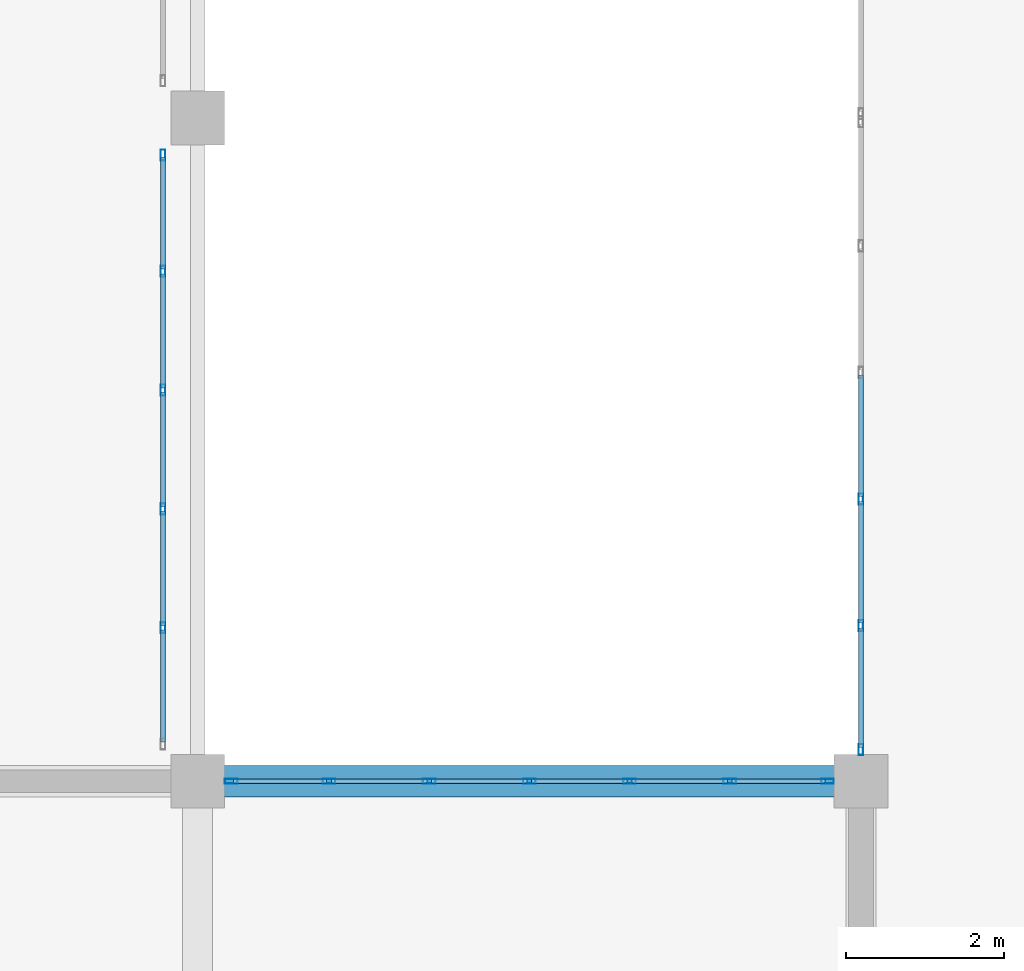
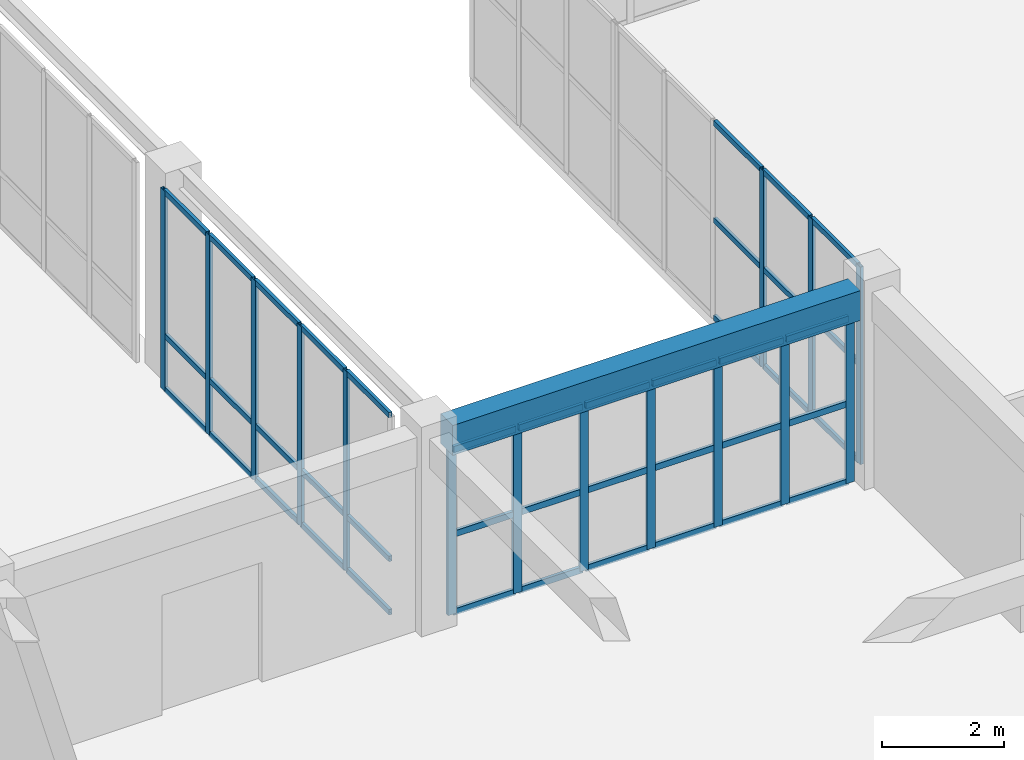
# One storey, part 60 of 140: 57 members, 1 beam, 3 elements without a shape of their own.
"""IFC4 building model written with IfcOpenShell, lengths in metres."""

from ifc_helpers import new_model, si_unit, direction, frame, origin, origin_2d, place, context, subcontext, project, spatial, rectangle, hollow_rectangle, extrude, material, layer, layer_set, material_profile, profile_set, type_object, element, aggregate, save


model = new_model("IFC4")

# Units and contexts
model_context = context("Model", 3, precision=1e-05, world=origin(), true_north=direction((0.0, 1.0)))
body_context = subcontext(model_context, "Body", "Model", "MODEL_VIEW")
ifc_project = project(units=[si_unit("LENGTHUNIT", "METRE"), si_unit("AREAUNIT", "SQUARE_METRE"), si_unit("VOLUMEUNIT", "CUBIC_METRE"), si_unit("PLANEANGLEUNIT", "RADIAN"), si_unit("MASSUNIT", "GRAM", prefix="KILO")], contexts=[model_context])

# Site, building, storey
site_placement = place(None, origin())
site = spatial("IfcSite", under=ifc_project, at=site_placement, CompositionType="ELEMENT")
building_placement = place(site_placement, origin())
building = spatial("IfcBuilding", under=site, at=building_placement, Name="Trelvath General Hospital", CompositionType="ELEMENT")
storey_placement = place(building_placement, frame((0.0, 0.0, 16.199951171875)))
storey = spatial("IfcBuildingStorey", under=building, at=storey_placement, Name="L04", CompositionType="ELEMENT", Elevation=16.199951171875)

# Beam
ifc_material_1 = material(Name="Concrete C35/45", Category="concrete")
ifc_material_profile_1 = material_profile(ifc_material_1, rectangle(XDim=0.39990234375, YDim=0.60009765625, at=origin_2d()), Name="RCB400x600")
ifc_profile_set_1 = profile_set([ifc_material_profile_1], Name="Concrete C35/45")
beam_type = type_object("IfcBeamType", Name="Beam RC400x600", PredefinedType="BEAM", material=ifc_profile_set_1)
beam_placement = place(storey_placement, frame((84.3349609375, 67.199951171875, 3.6201171875), z_axis=(1.0, 0.0, 0.0), x_axis=(0.0, 1.0, 0.0)))
element("IfcBeam", 1, at=beam_placement, inside=storey, type_object=beam_type, Name="Grid Beam BX-410I", PredefinedType="BEAM", context=body_context, shape_type="SweptSolid", body=[
    extrude(rectangle(XDim=0.39990234375, YDim=0.60009765625, at=origin_2d()), origin(), (0.0, 0.0, 1.0), 7.72998046875),
])

# Curtain wall, members
ifc_material_2 = material(Name="Anodised aluminium and low-E glass", Category="aluminium")
ifc_layer_1 = layer(ifc_material_2, 0.139892578125)
ifc_layer_set_1 = layer_set([ifc_layer_1], Name="Anodised aluminium and low-E glass")
curtain_wall_type_1 = type_object("IfcCurtainWallType", Name="CW CrystalCube 801 396 14", PredefinedType="USERDEFINED", material=ifc_layer_set_1)
curtain_wall_1_placement = place(storey_placement, origin())
curtain_wall_1 = element("IfcCurtainWall", 2, at=curtain_wall_1_placement, inside=storey, type_object=curtain_wall_type_1, Name="Crystal Cube Curtain Wall CUBE-E-T1 W4 L04", ObjectType="Unitised Glazed Curtain Wall", PredefinedType="USERDEFINED")
ifc_material_3 = material(Name="Anodised aluminium", Category="aluminium")
ifc_material_profile_2 = material_profile(ifc_material_3, hollow_rectangle(XDim=0.06005859375, YDim=0.139892578125, WallThickness=0.00390625, at=origin_2d()), Name="RHS60x140x4")
ifc_profile_set_2 = profile_set([ifc_material_profile_2], Name="Anodised aluminium")
member_type_1 = type_object("IfcMemberType", Name="CurtainMullion 60x140", PredefinedType="MULLION", material=ifc_profile_set_2)
member_1_placement = place(storey_placement, frame((92.39990234375, 67.60009765625, 0.0), z_axis=(0.0, 0.0, 1.0), x_axis=(-1.0, 0.0, 0.0)))
member_1 = element("IfcMember", 3, at=member_1_placement, type_object=member_type_1, Name="CW-293 mullion 1", PredefinedType="MULLION", context=body_context, shape_type="SweptSolid", body=[
    extrude(hollow_rectangle(XDim=0.06005859375, YDim=0.139892578125, WallThickness=0.00390625, at=origin_2d()), origin(), (0.0, 0.0, 1.0), 3.9599609375),
])
member_2_placement = place(storey_placement, frame((92.39990234375, 69.172119140625, 0.0), z_axis=(0.0, 0.0, 1.0), x_axis=(-1.0, 0.0, 0.0)))
member_2 = element("IfcMember", 4, at=member_2_placement, type_object=member_type_1, Name="CW-293 mullion 2", PredefinedType="MULLION", context=body_context, shape_type="SweptSolid", body=[
    extrude(hollow_rectangle(XDim=0.06005859375, YDim=0.139892578125, WallThickness=0.00390625, at=origin_2d()), origin(), (0.0, 0.0, 1.0), 3.9599609375),
])
member_3_placement = place(storey_placement, frame((92.39990234375, 70.77392578125, 0.0), z_axis=(0.0, 0.0, 1.0), x_axis=(-1.0, 0.0, 0.0)))
member_3 = element("IfcMember", 5, at=member_3_placement, type_object=member_type_1, Name="CW-293 mullion 3", PredefinedType="MULLION", context=body_context, shape_type="SweptSolid", body=[
    extrude(hollow_rectangle(XDim=0.06005859375, YDim=0.139892578125, WallThickness=0.00390625, at=origin_2d()), origin(), (0.0, 0.0, 1.0), 3.9599609375),
])

ifc_material_4 = material(Name="Anodised aluminium and low-E glass", Category="aluminium")
ifc_layer_2 = layer(ifc_material_4, 0.139892578125)
ifc_layer_set_2 = layer_set([ifc_layer_2], Name="Anodised aluminium and low-E glass")
curtain_wall_type_2 = type_object("IfcCurtainWallType", Name="CW Bridge 752 401", PredefinedType="USERDEFINED", material=ifc_layer_set_2)
curtain_wall_2_placement = place(storey_placement, origin())
curtain_wall_2 = element("IfcCurtainWall", 6, at=curtain_wall_2_placement, inside=storey, type_object=curtain_wall_type_2, Name="Glazed Bridge Curtain Wall BRG-N-C E L04", ObjectType="Unitised Glazed Curtain Wall", PredefinedType="USERDEFINED")
member_4_placement = place(storey_placement, frame((83.56005859375, 75.1298828125, 0.0), z_axis=(0.0, 0.0, 1.0), x_axis=(1.0, 0.0, 0.0)))
member_4 = element("IfcMember", 7, at=member_4_placement, type_object=member_type_1, Name="CW-297 mullion 1", PredefinedType="MULLION", context=body_context, shape_type="SweptSolid", body=[
    extrude(hollow_rectangle(XDim=0.06005859375, YDim=0.139892578125, WallThickness=0.00390625, at=origin_2d()), origin(), (0.0, 0.0, 1.0), 4.010009765625),
])
member_5_placement = place(storey_placement, frame((83.56005859375, 73.656005859375, 0.0), z_axis=(0.0, 0.0, 1.0), x_axis=(1.0, 0.0, 0.0)))
member_5 = element("IfcMember", 8, at=member_5_placement, type_object=member_type_1, Name="CW-297 mullion 2", PredefinedType="MULLION", context=body_context, shape_type="SweptSolid", body=[
    extrude(hollow_rectangle(XDim=0.06005859375, YDim=0.139892578125, WallThickness=0.00390625, at=origin_2d()), origin(), (0.0, 0.0, 1.0), 4.010009765625),
])
member_6_placement = place(storey_placement, frame((83.56005859375, 72.152099609375, 0.0), z_axis=(0.0, 0.0, 1.0), x_axis=(1.0, 0.0, 0.0)))
member_6 = element("IfcMember", 9, at=member_6_placement, type_object=member_type_1, Name="CW-297 mullion 3", PredefinedType="MULLION", context=body_context, shape_type="SweptSolid", body=[
    extrude(hollow_rectangle(XDim=0.06005859375, YDim=0.139892578125, WallThickness=0.00390625, at=origin_2d()), origin(), (0.0, 0.0, 1.0), 4.010009765625),
])
member_7_placement = place(storey_placement, frame((83.56005859375, 70.64794921875, 0.0), z_axis=(0.0, 0.0, 1.0), x_axis=(1.0, 0.0, 0.0)))
member_7 = element("IfcMember", 10, at=member_7_placement, type_object=member_type_1, Name="CW-297 mullion 4", PredefinedType="MULLION", context=body_context, shape_type="SweptSolid", body=[
    extrude(hollow_rectangle(XDim=0.06005859375, YDim=0.139892578125, WallThickness=0.00390625, at=origin_2d()), origin(), (0.0, 0.0, 1.0), 4.010009765625),
])
member_8_placement = place(storey_placement, frame((83.56005859375, 69.14404296875, 0.0), z_axis=(0.0, 0.0, 1.0), x_axis=(1.0, 0.0, 0.0)))
member_8 = element("IfcMember", 11, at=member_8_placement, type_object=member_type_1, Name="CW-297 mullion 5", PredefinedType="MULLION", context=body_context, shape_type="SweptSolid", body=[
    extrude(hollow_rectangle(XDim=0.06005859375, YDim=0.139892578125, WallThickness=0.00390625, at=origin_2d()), origin(), (0.0, 0.0, 1.0), 4.010009765625),
])

ifc_material_5 = material(Name="Anodised aluminium and low-E glass", Category="aluminium")
ifc_layer_3 = layer(ifc_material_5, 0.14990234375)
ifc_layer_set_3 = layer_set([ifc_layer_3], Name="Anodised aluminium and low-E glass")
curtain_wall_type_3 = type_object("IfcCurtainWallType", Name="CW Facade 761 332 15", PredefinedType="USERDEFINED", material=ifc_layer_set_3)
curtain_wall_3_placement = place(storey_placement, origin())
curtain_wall_3 = element("IfcCurtainWall", 12, at=curtain_wall_3_placement, inside=storey, type_object=curtain_wall_type_3, Name="Facade Curtain Wall CW-065", ObjectType="Unitised Glazed Curtain Wall", PredefinedType="USERDEFINED")
ifc_material_6 = material(Name="Anodised aluminium", Category="aluminium")
ifc_material_profile_3 = material_profile(ifc_material_6, hollow_rectangle(XDim=0.06005859375, YDim=0.159912109375, WallThickness=0.00390625, at=origin_2d()), Name="RHS60x160x4")
ifc_profile_set_3 = profile_set([ifc_material_profile_3], Name="Anodised aluminium")
member_type_2 = type_object("IfcMemberType", Name="CurtainMullion 60x160", PredefinedType="MULLION", material=ifc_profile_set_3)
member_9_placement = place(storey_placement, frame((84.425048828125, 67.199951171875, 0.0), z_axis=(0.0, 0.0, 1.0), x_axis=(0.0, 1.0, 0.0)))
member_9 = element("IfcMember", 13, at=member_9_placement, type_object=member_type_2, Name="CW-065 mullion 1", PredefinedType="MULLION", context=body_context, shape_type="SweptSolid", body=[
    extrude(hollow_rectangle(XDim=0.06005859375, YDim=0.159912109375, WallThickness=0.00390625, at=origin_2d()), origin(), (0.0, 0.0, 1.0), 3.320068359375),
])
member_10_placement = place(storey_placement, frame((85.663330078125, 67.199951171875, 0.0), z_axis=(0.0, 0.0, 1.0), x_axis=(0.0, 1.0, 0.0)))
member_10 = element("IfcMember", 14, at=member_10_placement, type_object=member_type_2, Name="CW-065 mullion 2", PredefinedType="MULLION", context=body_context, shape_type="SweptSolid", body=[
    extrude(hollow_rectangle(XDim=0.06005859375, YDim=0.159912109375, WallThickness=0.00390625, at=origin_2d()), origin(), (0.0, 0.0, 1.0), 3.320068359375),
])
member_11_placement = place(storey_placement, frame((86.931640625, 67.199951171875, 0.0), z_axis=(0.0, 0.0, 1.0), x_axis=(0.0, 1.0, 0.0)))
member_11 = element("IfcMember", 15, at=member_11_placement, type_object=member_type_2, Name="CW-065 mullion 3", PredefinedType="MULLION", context=body_context, shape_type="SweptSolid", body=[
    extrude(hollow_rectangle(XDim=0.06005859375, YDim=0.159912109375, WallThickness=0.00390625, at=origin_2d()), origin(), (0.0, 0.0, 1.0), 3.320068359375),
])
member_12_placement = place(storey_placement, frame((88.199951171875, 67.199951171875, 0.0), z_axis=(0.0, 0.0, 1.0), x_axis=(0.0, 1.0, 0.0)))
member_12 = element("IfcMember", 16, at=member_12_placement, type_object=member_type_2, Name="CW-065 mullion 4", PredefinedType="MULLION", context=body_context, shape_type="SweptSolid", body=[
    extrude(hollow_rectangle(XDim=0.06005859375, YDim=0.159912109375, WallThickness=0.00390625, at=origin_2d()), origin(), (0.0, 0.0, 1.0), 3.320068359375),
])
member_13_placement = place(storey_placement, frame((89.46826171875, 67.199951171875, 0.0), z_axis=(0.0, 0.0, 1.0), x_axis=(0.0, 1.0, 0.0)))
member_13 = element("IfcMember", 17, at=member_13_placement, type_object=member_type_2, Name="CW-065 mullion 5", PredefinedType="MULLION", context=body_context, shape_type="SweptSolid", body=[
    extrude(hollow_rectangle(XDim=0.06005859375, YDim=0.159912109375, WallThickness=0.00390625, at=origin_2d()), origin(), (0.0, 0.0, 1.0), 3.320068359375),
])
member_14_placement = place(storey_placement, frame((90.736572265625, 67.199951171875, 0.0), z_axis=(0.0, 0.0, 1.0), x_axis=(0.0, 1.0, 0.0)))
member_14 = element("IfcMember", 18, at=member_14_placement, type_object=member_type_2, Name="CW-065 mullion 6", PredefinedType="MULLION", context=body_context, shape_type="SweptSolid", body=[
    extrude(hollow_rectangle(XDim=0.06005859375, YDim=0.159912109375, WallThickness=0.00390625, at=origin_2d()), origin(), (0.0, 0.0, 1.0), 3.320068359375),
])
member_15_placement = place(storey_placement, frame((91.97509765625, 67.199951171875, 0.0), z_axis=(0.0, 0.0, 1.0), x_axis=(0.0, 1.0, 0.0)))
member_15 = element("IfcMember", 19, at=member_15_placement, type_object=member_type_2, Name="CW-065 mullion 7", PredefinedType="MULLION", context=body_context, shape_type="SweptSolid", body=[
    extrude(hollow_rectangle(XDim=0.06005859375, YDim=0.159912109375, WallThickness=0.00390625, at=origin_2d()), origin(), (0.0, 0.0, 1.0), 3.320068359375),
])

# Member
ifc_material_7 = material(Name="Anodised aluminium", Category="aluminium")
ifc_material_profile_4 = material_profile(ifc_material_7, hollow_rectangle(XDim=0.06005859375, YDim=0.110107421875, WallThickness=0.00390625, at=origin_2d()), Name="RHS60x110x4")
ifc_profile_set_4 = profile_set([ifc_material_profile_4], Name="Anodised aluminium")
member_type_3 = type_object("IfcMemberType", Name="CurtainTransom 60x110", PredefinedType="USERDEFINED", material=ifc_profile_set_4)
member_16_placement = place(storey_placement, frame((92.39990234375, 67.6298828125, 0.030029296875), z_axis=(0.0, 1.0, 0.0), x_axis=(-1.0, 0.0, 0.0)))
member_16 = element("IfcMember", 20, at=member_16_placement, type_object=member_type_3, Name="CW-293 transom 1.1", ObjectType="TRANSOM", PredefinedType="USERDEFINED", context=body_context, shape_type="SweptSolid", body=[
    extrude(hollow_rectangle(XDim=0.06005859375, YDim=0.110107421875, WallThickness=0.00390625, at=origin_2d()), origin(), (0.0, 0.0, 1.0), 1.51220703125),
])

member_17_placement = place(storey_placement, frame((92.39990234375, 67.6298828125, 1.97998046875), z_axis=(0.0, 1.0, 0.0), x_axis=(-1.0, 0.0, 0.0)))
member_17 = element("IfcMember", 21, at=member_17_placement, type_object=member_type_3, Name="CW-293 transom 1.2", ObjectType="TRANSOM", PredefinedType="USERDEFINED", context=body_context, shape_type="SweptSolid", body=[
    extrude(hollow_rectangle(XDim=0.06005859375, YDim=0.110107421875, WallThickness=0.00390625, at=origin_2d()), origin(), (0.0, 0.0, 1.0), 1.51220703125),
])

member_18_placement = place(storey_placement, frame((92.39990234375, 67.6298828125, 3.929931640625), z_axis=(0.0, 1.0, 0.0), x_axis=(-1.0, 0.0, 0.0)))
member_18 = element("IfcMember", 22, at=member_18_placement, type_object=member_type_3, Name="CW-293 transom 1.3", ObjectType="TRANSOM", PredefinedType="USERDEFINED", context=body_context, shape_type="SweptSolid", body=[
    extrude(hollow_rectangle(XDim=0.06005859375, YDim=0.110107421875, WallThickness=0.00390625, at=origin_2d()), origin(), (0.0, 0.0, 1.0), 1.51220703125),
])

member_19_placement = place(storey_placement, frame((92.39990234375, 69.201904296875, 0.030029296875), z_axis=(0.0, 1.0, 0.0), x_axis=(-1.0, 0.0, 0.0)))
member_19 = element("IfcMember", 23, at=member_19_placement, type_object=member_type_3, Name="CW-293 transom 2.1", ObjectType="TRANSOM", PredefinedType="USERDEFINED", context=body_context, shape_type="SweptSolid", body=[
    extrude(hollow_rectangle(XDim=0.06005859375, YDim=0.110107421875, WallThickness=0.00390625, at=origin_2d()), origin(), (0.0, 0.0, 1.0), 1.5419921875),
])

member_20_placement = place(storey_placement, frame((92.39990234375, 69.201904296875, 1.97998046875), z_axis=(0.0, 1.0, 0.0), x_axis=(-1.0, 0.0, 0.0)))
member_20 = element("IfcMember", 24, at=member_20_placement, type_object=member_type_3, Name="CW-293 transom 2.2", ObjectType="TRANSOM", PredefinedType="USERDEFINED", context=body_context, shape_type="SweptSolid", body=[
    extrude(hollow_rectangle(XDim=0.06005859375, YDim=0.110107421875, WallThickness=0.00390625, at=origin_2d()), origin(), (0.0, 0.0, 1.0), 1.5419921875),
])

member_21_placement = place(storey_placement, frame((92.39990234375, 69.201904296875, 3.929931640625), z_axis=(0.0, 1.0, 0.0), x_axis=(-1.0, 0.0, 0.0)))
member_21 = element("IfcMember", 25, at=member_21_placement, type_object=member_type_3, Name="CW-293 transom 2.3", ObjectType="TRANSOM", PredefinedType="USERDEFINED", context=body_context, shape_type="SweptSolid", body=[
    extrude(hollow_rectangle(XDim=0.06005859375, YDim=0.110107421875, WallThickness=0.00390625, at=origin_2d()), origin(), (0.0, 0.0, 1.0), 1.5419921875),
])

member_22_placement = place(storey_placement, frame((92.39990234375, 70.803955078125, 0.030029296875), z_axis=(0.0, 1.0, 0.0), x_axis=(-1.0, 0.0, 0.0)))
member_22 = element("IfcMember", 26, at=member_22_placement, type_object=member_type_3, Name="CW-293 transom 3.1", ObjectType="TRANSOM", PredefinedType="USERDEFINED", context=body_context, shape_type="SweptSolid", body=[
    extrude(hollow_rectangle(XDim=0.06005859375, YDim=0.110107421875, WallThickness=0.00390625, at=origin_2d()), origin(), (0.0, 0.0, 1.0), 1.5419921875),
])

member_23_placement = place(storey_placement, frame((92.39990234375, 70.803955078125, 1.97998046875), z_axis=(0.0, 1.0, 0.0), x_axis=(-1.0, 0.0, 0.0)))
member_23 = element("IfcMember", 27, at=member_23_placement, type_object=member_type_3, Name="CW-293 transom 3.2", ObjectType="TRANSOM", PredefinedType="USERDEFINED", context=body_context, shape_type="SweptSolid", body=[
    extrude(hollow_rectangle(XDim=0.06005859375, YDim=0.110107421875, WallThickness=0.00390625, at=origin_2d()), origin(), (0.0, 0.0, 1.0), 1.5419921875),
])

member_24_placement = place(storey_placement, frame((92.39990234375, 70.803955078125, 3.929931640625), z_axis=(0.0, 1.0, 0.0), x_axis=(-1.0, 0.0, 0.0)))
member_24 = element("IfcMember", 28, at=member_24_placement, type_object=member_type_3, Name="CW-293 transom 3.3", ObjectType="TRANSOM", PredefinedType="USERDEFINED", context=body_context, shape_type="SweptSolid", body=[
    extrude(hollow_rectangle(XDim=0.06005859375, YDim=0.110107421875, WallThickness=0.00390625, at=origin_2d()), origin(), (0.0, 0.0, 1.0), 1.5419921875),
])

aggregate(curtain_wall_1, [member_1, member_2, member_3, member_16, member_17, member_18, member_19, member_20, member_21, member_22, member_23, member_24])

member_25_placement = place(storey_placement, frame((83.56005859375, 75.10009765625, 0.030029296875), z_axis=(0.0, -1.0, 0.0), x_axis=(1.0, 0.0, 0.0)))
member_25 = element("IfcMember", 29, at=member_25_placement, type_object=member_type_3, Name="CW-297 transom 1.1", ObjectType="TRANSOM", PredefinedType="USERDEFINED", context=body_context, shape_type="SweptSolid", body=[
    extrude(hollow_rectangle(XDim=0.06005859375, YDim=0.110107421875, WallThickness=0.00390625, at=origin_2d()), origin(), (0.0, 0.0, 1.0), 1.4140625),
])

member_26_placement = place(storey_placement, frame((83.56005859375, 75.10009765625, 1.10009765625), z_axis=(0.0, -1.0, 0.0), x_axis=(1.0, 0.0, 0.0)))
member_26 = element("IfcMember", 30, at=member_26_placement, type_object=member_type_3, Name="CW-297 transom 1.2", ObjectType="TRANSOM", PredefinedType="USERDEFINED", context=body_context, shape_type="SweptSolid", body=[
    extrude(hollow_rectangle(XDim=0.06005859375, YDim=0.110107421875, WallThickness=0.00390625, at=origin_2d()), origin(), (0.0, 0.0, 1.0), 1.4140625),
])

member_27_placement = place(storey_placement, frame((83.56005859375, 75.10009765625, 3.97998046875), z_axis=(0.0, -1.0, 0.0), x_axis=(1.0, 0.0, 0.0)))
member_27 = element("IfcMember", 31, at=member_27_placement, type_object=member_type_3, Name="CW-297 transom 1.3", ObjectType="TRANSOM", PredefinedType="USERDEFINED", context=body_context, shape_type="SweptSolid", body=[
    extrude(hollow_rectangle(XDim=0.06005859375, YDim=0.110107421875, WallThickness=0.00390625, at=origin_2d()), origin(), (0.0, 0.0, 1.0), 1.4140625),
])

member_28_placement = place(storey_placement, frame((83.56005859375, 73.6259765625, 0.030029296875), z_axis=(0.0, -1.0, 0.0), x_axis=(1.0, 0.0, 0.0)))
member_28 = element("IfcMember", 32, at=member_28_placement, type_object=member_type_3, Name="CW-297 transom 2.1", ObjectType="TRANSOM", PredefinedType="USERDEFINED", context=body_context, shape_type="SweptSolid", body=[
    extrude(hollow_rectangle(XDim=0.06005859375, YDim=0.110107421875, WallThickness=0.00390625, at=origin_2d()), origin(), (0.0, 0.0, 1.0), 1.444091796875),
])

member_29_placement = place(storey_placement, frame((83.56005859375, 73.6259765625, 1.10009765625), z_axis=(0.0, -1.0, 0.0), x_axis=(1.0, 0.0, 0.0)))
member_29 = element("IfcMember", 33, at=member_29_placement, type_object=member_type_3, Name="CW-297 transom 2.2", ObjectType="TRANSOM", PredefinedType="USERDEFINED", context=body_context, shape_type="SweptSolid", body=[
    extrude(hollow_rectangle(XDim=0.06005859375, YDim=0.110107421875, WallThickness=0.00390625, at=origin_2d()), origin(), (0.0, 0.0, 1.0), 1.444091796875),
])

member_30_placement = place(storey_placement, frame((83.56005859375, 73.6259765625, 3.97998046875), z_axis=(0.0, -1.0, 0.0), x_axis=(1.0, 0.0, 0.0)))
member_30 = element("IfcMember", 34, at=member_30_placement, type_object=member_type_3, Name="CW-297 transom 2.3", ObjectType="TRANSOM", PredefinedType="USERDEFINED", context=body_context, shape_type="SweptSolid", body=[
    extrude(hollow_rectangle(XDim=0.06005859375, YDim=0.110107421875, WallThickness=0.00390625, at=origin_2d()), origin(), (0.0, 0.0, 1.0), 1.444091796875),
])

member_31_placement = place(storey_placement, frame((83.56005859375, 72.1220703125, 0.030029296875), z_axis=(0.0, -1.0, 0.0), x_axis=(1.0, 0.0, 0.0)))
member_31 = element("IfcMember", 35, at=member_31_placement, type_object=member_type_3, Name="CW-297 transom 3.1", ObjectType="TRANSOM", PredefinedType="USERDEFINED", context=body_context, shape_type="SweptSolid", body=[
    extrude(hollow_rectangle(XDim=0.06005859375, YDim=0.110107421875, WallThickness=0.00390625, at=origin_2d()), origin(), (0.0, 0.0, 1.0), 1.444091796875),
])

member_32_placement = place(storey_placement, frame((83.56005859375, 72.1220703125, 1.10009765625), z_axis=(0.0, -1.0, 0.0), x_axis=(1.0, 0.0, 0.0)))
member_32 = element("IfcMember", 36, at=member_32_placement, type_object=member_type_3, Name="CW-297 transom 3.2", ObjectType="TRANSOM", PredefinedType="USERDEFINED", context=body_context, shape_type="SweptSolid", body=[
    extrude(hollow_rectangle(XDim=0.06005859375, YDim=0.110107421875, WallThickness=0.00390625, at=origin_2d()), origin(), (0.0, 0.0, 1.0), 1.444091796875),
])

member_33_placement = place(storey_placement, frame((83.56005859375, 72.1220703125, 3.97998046875), z_axis=(0.0, -1.0, 0.0), x_axis=(1.0, 0.0, 0.0)))
member_33 = element("IfcMember", 37, at=member_33_placement, type_object=member_type_3, Name="CW-297 transom 3.3", ObjectType="TRANSOM", PredefinedType="USERDEFINED", context=body_context, shape_type="SweptSolid", body=[
    extrude(hollow_rectangle(XDim=0.06005859375, YDim=0.110107421875, WallThickness=0.00390625, at=origin_2d()), origin(), (0.0, 0.0, 1.0), 1.444091796875),
])

member_34_placement = place(storey_placement, frame((83.56005859375, 70.617919921875, 0.030029296875), z_axis=(0.0, -1.0, 0.0), x_axis=(1.0, 0.0, 0.0)))
member_34 = element("IfcMember", 38, at=member_34_placement, type_object=member_type_3, Name="CW-297 transom 4.1", ObjectType="TRANSOM", PredefinedType="USERDEFINED", context=body_context, shape_type="SweptSolid", body=[
    extrude(hollow_rectangle(XDim=0.06005859375, YDim=0.110107421875, WallThickness=0.00390625, at=origin_2d()), origin(), (0.0, 0.0, 1.0), 1.44384765625),
])

member_35_placement = place(storey_placement, frame((83.56005859375, 70.617919921875, 1.10009765625), z_axis=(0.0, -1.0, 0.0), x_axis=(1.0, 0.0, 0.0)))
member_35 = element("IfcMember", 39, at=member_35_placement, type_object=member_type_3, Name="CW-297 transom 4.2", ObjectType="TRANSOM", PredefinedType="USERDEFINED", context=body_context, shape_type="SweptSolid", body=[
    extrude(hollow_rectangle(XDim=0.06005859375, YDim=0.110107421875, WallThickness=0.00390625, at=origin_2d()), origin(), (0.0, 0.0, 1.0), 1.44384765625),
])

member_36_placement = place(storey_placement, frame((83.56005859375, 70.617919921875, 3.97998046875), z_axis=(0.0, -1.0, 0.0), x_axis=(1.0, 0.0, 0.0)))
member_36 = element("IfcMember", 40, at=member_36_placement, type_object=member_type_3, Name="CW-297 transom 4.3", ObjectType="TRANSOM", PredefinedType="USERDEFINED", context=body_context, shape_type="SweptSolid", body=[
    extrude(hollow_rectangle(XDim=0.06005859375, YDim=0.110107421875, WallThickness=0.00390625, at=origin_2d()), origin(), (0.0, 0.0, 1.0), 1.44384765625),
])

member_37_placement = place(storey_placement, frame((83.56005859375, 69.114013671875, 0.030029296875), z_axis=(0.0, -1.0, 0.0), x_axis=(1.0, 0.0, 0.0)))
member_37 = element("IfcMember", 41, at=member_37_placement, type_object=member_type_3, Name="CW-297 transom 5.1", ObjectType="TRANSOM", PredefinedType="USERDEFINED", context=body_context, shape_type="SweptSolid", body=[
    extrude(hollow_rectangle(XDim=0.06005859375, YDim=0.110107421875, WallThickness=0.00390625, at=origin_2d()), origin(), (0.0, 0.0, 1.0), 1.4140625),
])

member_38_placement = place(storey_placement, frame((83.56005859375, 69.114013671875, 1.10009765625), z_axis=(0.0, -1.0, 0.0), x_axis=(1.0, 0.0, 0.0)))
member_38 = element("IfcMember", 42, at=member_38_placement, type_object=member_type_3, Name="CW-297 transom 5.2", ObjectType="TRANSOM", PredefinedType="USERDEFINED", context=body_context, shape_type="SweptSolid", body=[
    extrude(hollow_rectangle(XDim=0.06005859375, YDim=0.110107421875, WallThickness=0.00390625, at=origin_2d()), origin(), (0.0, 0.0, 1.0), 1.4140625),
])

member_39_placement = place(storey_placement, frame((83.56005859375, 69.114013671875, 3.97998046875), z_axis=(0.0, -1.0, 0.0), x_axis=(1.0, 0.0, 0.0)))
member_39 = element("IfcMember", 43, at=member_39_placement, type_object=member_type_3, Name="CW-297 transom 5.3", ObjectType="TRANSOM", PredefinedType="USERDEFINED", context=body_context, shape_type="SweptSolid", body=[
    extrude(hollow_rectangle(XDim=0.06005859375, YDim=0.110107421875, WallThickness=0.00390625, at=origin_2d()), origin(), (0.0, 0.0, 1.0), 1.4140625),
])

aggregate(curtain_wall_2, [member_4, member_5, member_6, member_7, member_8, member_25, member_26, member_27, member_28, member_29, member_30, member_31, member_32, member_33, member_34, member_35, member_36, member_37, member_38, member_39])

ifc_material_8 = material(Name="Anodised aluminium", Category="aluminium")
ifc_material_profile_5 = material_profile(ifc_material_8, hollow_rectangle(XDim=0.06005859375, YDim=0.125, WallThickness=0.00390625, at=origin_2d()), Name="RHS60x125x4")
ifc_profile_set_5 = profile_set([ifc_material_profile_5], Name="Anodised aluminium")
member_type_4 = type_object("IfcMemberType", Name="CurtainTransom 60x125", PredefinedType="USERDEFINED", material=ifc_profile_set_5)
member_40_placement = place(storey_placement, frame((84.455078125, 67.199951171875, 0.030029296875), z_axis=(1.0, 0.0, 0.0), x_axis=(0.0, 1.0, 0.0)))
member_40 = element("IfcMember", 44, at=member_40_placement, type_object=member_type_4, Name="CW-065 transom 1.1", ObjectType="TRANSOM", PredefinedType="USERDEFINED", context=body_context, shape_type="SweptSolid", body=[
    extrude(hollow_rectangle(XDim=0.06005859375, YDim=0.125, WallThickness=0.00390625, at=origin_2d()), origin(), (0.0, 0.0, 1.0), 1.17822265625),
])

member_41_placement = place(storey_placement, frame((84.455078125, 67.199951171875, 1.593994140625), z_axis=(1.0, 0.0, 0.0), x_axis=(0.0, 1.0, 0.0)))
member_41 = element("IfcMember", 45, at=member_41_placement, type_object=member_type_4, Name="CW-065 transom 1.2", ObjectType="TRANSOM", PredefinedType="USERDEFINED", context=body_context, shape_type="SweptSolid", body=[
    extrude(hollow_rectangle(XDim=0.06005859375, YDim=0.125, WallThickness=0.00390625, at=origin_2d()), origin(), (0.0, 0.0, 1.0), 1.17822265625),
])

member_42_placement = place(storey_placement, frame((84.455078125, 67.199951171875, 3.2900390625), z_axis=(1.0, 0.0, 0.0), x_axis=(0.0, 1.0, 0.0)))
member_42 = element("IfcMember", 46, at=member_42_placement, type_object=member_type_4, Name="CW-065 transom 1.3", ObjectType="TRANSOM", PredefinedType="USERDEFINED", context=body_context, shape_type="SweptSolid", body=[
    extrude(hollow_rectangle(XDim=0.06005859375, YDim=0.125, WallThickness=0.00390625, at=origin_2d()), origin(), (0.0, 0.0, 1.0), 1.17822265625),
])

member_43_placement = place(storey_placement, frame((85.693359375, 67.199951171875, 0.030029296875), z_axis=(1.0, 0.0, 0.0), x_axis=(0.0, 1.0, 0.0)))
member_43 = element("IfcMember", 47, at=member_43_placement, type_object=member_type_4, Name="CW-065 transom 2.1", ObjectType="TRANSOM", PredefinedType="USERDEFINED", context=body_context, shape_type="SweptSolid", body=[
    extrude(hollow_rectangle(XDim=0.06005859375, YDim=0.125, WallThickness=0.00390625, at=origin_2d()), origin(), (0.0, 0.0, 1.0), 1.208251953125),
])

member_44_placement = place(storey_placement, frame((85.693359375, 67.199951171875, 1.593994140625), z_axis=(1.0, 0.0, 0.0), x_axis=(0.0, 1.0, 0.0)))
member_44 = element("IfcMember", 48, at=member_44_placement, type_object=member_type_4, Name="CW-065 transom 2.2", ObjectType="TRANSOM", PredefinedType="USERDEFINED", context=body_context, shape_type="SweptSolid", body=[
    extrude(hollow_rectangle(XDim=0.06005859375, YDim=0.125, WallThickness=0.00390625, at=origin_2d()), origin(), (0.0, 0.0, 1.0), 1.208251953125),
])

member_45_placement = place(storey_placement, frame((85.693359375, 67.199951171875, 3.2900390625), z_axis=(1.0, 0.0, 0.0), x_axis=(0.0, 1.0, 0.0)))
member_45 = element("IfcMember", 49, at=member_45_placement, type_object=member_type_4, Name="CW-065 transom 2.3", ObjectType="TRANSOM", PredefinedType="USERDEFINED", context=body_context, shape_type="SweptSolid", body=[
    extrude(hollow_rectangle(XDim=0.06005859375, YDim=0.125, WallThickness=0.00390625, at=origin_2d()), origin(), (0.0, 0.0, 1.0), 1.208251953125),
])

member_46_placement = place(storey_placement, frame((86.961669921875, 67.199951171875, 0.030029296875), z_axis=(1.0, 0.0, 0.0), x_axis=(0.0, 1.0, 0.0)))
member_46 = element("IfcMember", 50, at=member_46_placement, type_object=member_type_4, Name="CW-065 transom 3.1", ObjectType="TRANSOM", PredefinedType="USERDEFINED", context=body_context, shape_type="SweptSolid", body=[
    extrude(hollow_rectangle(XDim=0.06005859375, YDim=0.125, WallThickness=0.00390625, at=origin_2d()), origin(), (0.0, 0.0, 1.0), 1.208251953125),
])

member_47_placement = place(storey_placement, frame((86.961669921875, 67.199951171875, 1.593994140625), z_axis=(1.0, 0.0, 0.0), x_axis=(0.0, 1.0, 0.0)))
member_47 = element("IfcMember", 51, at=member_47_placement, type_object=member_type_4, Name="CW-065 transom 3.2", ObjectType="TRANSOM", PredefinedType="USERDEFINED", context=body_context, shape_type="SweptSolid", body=[
    extrude(hollow_rectangle(XDim=0.06005859375, YDim=0.125, WallThickness=0.00390625, at=origin_2d()), origin(), (0.0, 0.0, 1.0), 1.208251953125),
])

member_48_placement = place(storey_placement, frame((86.961669921875, 67.199951171875, 3.2900390625), z_axis=(1.0, 0.0, 0.0), x_axis=(0.0, 1.0, 0.0)))
member_48 = element("IfcMember", 52, at=member_48_placement, type_object=member_type_4, Name="CW-065 transom 3.3", ObjectType="TRANSOM", PredefinedType="USERDEFINED", context=body_context, shape_type="SweptSolid", body=[
    extrude(hollow_rectangle(XDim=0.06005859375, YDim=0.125, WallThickness=0.00390625, at=origin_2d()), origin(), (0.0, 0.0, 1.0), 1.208251953125),
])

member_49_placement = place(storey_placement, frame((88.22998046875, 67.199951171875, 0.030029296875), z_axis=(1.0, 0.0, 0.0), x_axis=(0.0, 1.0, 0.0)))
member_49 = element("IfcMember", 53, at=member_49_placement, type_object=member_type_4, Name="CW-065 transom 4.1", ObjectType="TRANSOM", PredefinedType="USERDEFINED", context=body_context, shape_type="SweptSolid", body=[
    extrude(hollow_rectangle(XDim=0.06005859375, YDim=0.125, WallThickness=0.00390625, at=origin_2d()), origin(), (0.0, 0.0, 1.0), 1.208251953125),
])

member_50_placement = place(storey_placement, frame((88.22998046875, 67.199951171875, 1.593994140625), z_axis=(1.0, 0.0, 0.0), x_axis=(0.0, 1.0, 0.0)))
member_50 = element("IfcMember", 54, at=member_50_placement, type_object=member_type_4, Name="CW-065 transom 4.2", ObjectType="TRANSOM", PredefinedType="USERDEFINED", context=body_context, shape_type="SweptSolid", body=[
    extrude(hollow_rectangle(XDim=0.06005859375, YDim=0.125, WallThickness=0.00390625, at=origin_2d()), origin(), (0.0, 0.0, 1.0), 1.208251953125),
])

member_51_placement = place(storey_placement, frame((88.22998046875, 67.199951171875, 3.2900390625), z_axis=(1.0, 0.0, 0.0), x_axis=(0.0, 1.0, 0.0)))
member_51 = element("IfcMember", 55, at=member_51_placement, type_object=member_type_4, Name="CW-065 transom 4.3", ObjectType="TRANSOM", PredefinedType="USERDEFINED", context=body_context, shape_type="SweptSolid", body=[
    extrude(hollow_rectangle(XDim=0.06005859375, YDim=0.125, WallThickness=0.00390625, at=origin_2d()), origin(), (0.0, 0.0, 1.0), 1.208251953125),
])

member_52_placement = place(storey_placement, frame((89.498291015625, 67.199951171875, 0.030029296875), z_axis=(1.0, 0.0, 0.0), x_axis=(0.0, 1.0, 0.0)))
member_52 = element("IfcMember", 56, at=member_52_placement, type_object=member_type_4, Name="CW-065 transom 5.1", ObjectType="TRANSOM", PredefinedType="USERDEFINED", context=body_context, shape_type="SweptSolid", body=[
    extrude(hollow_rectangle(XDim=0.06005859375, YDim=0.125, WallThickness=0.00390625, at=origin_2d()), origin(), (0.0, 0.0, 1.0), 1.20849609375),
])

member_53_placement = place(storey_placement, frame((89.498291015625, 67.199951171875, 1.593994140625), z_axis=(1.0, 0.0, 0.0), x_axis=(0.0, 1.0, 0.0)))
member_53 = element("IfcMember", 57, at=member_53_placement, type_object=member_type_4, Name="CW-065 transom 5.2", ObjectType="TRANSOM", PredefinedType="USERDEFINED", context=body_context, shape_type="SweptSolid", body=[
    extrude(hollow_rectangle(XDim=0.06005859375, YDim=0.125, WallThickness=0.00390625, at=origin_2d()), origin(), (0.0, 0.0, 1.0), 1.20849609375),
])

member_54_placement = place(storey_placement, frame((89.498291015625, 67.199951171875, 3.2900390625), z_axis=(1.0, 0.0, 0.0), x_axis=(0.0, 1.0, 0.0)))
member_54 = element("IfcMember", 58, at=member_54_placement, type_object=member_type_4, Name="CW-065 transom 5.3", ObjectType="TRANSOM", PredefinedType="USERDEFINED", context=body_context, shape_type="SweptSolid", body=[
    extrude(hollow_rectangle(XDim=0.06005859375, YDim=0.125, WallThickness=0.00390625, at=origin_2d()), origin(), (0.0, 0.0, 1.0), 1.20849609375),
])

member_55_placement = place(storey_placement, frame((90.7666015625, 67.199951171875, 0.030029296875), z_axis=(1.0, 0.0, 0.0), x_axis=(0.0, 1.0, 0.0)))
member_55 = element("IfcMember", 59, at=member_55_placement, type_object=member_type_4, Name="CW-065 transom 6.1", ObjectType="TRANSOM", PredefinedType="USERDEFINED", context=body_context, shape_type="SweptSolid", body=[
    extrude(hollow_rectangle(XDim=0.06005859375, YDim=0.125, WallThickness=0.00390625, at=origin_2d()), origin(), (0.0, 0.0, 1.0), 1.178466796875),
])

member_56_placement = place(storey_placement, frame((90.7666015625, 67.199951171875, 1.593994140625), z_axis=(1.0, 0.0, 0.0), x_axis=(0.0, 1.0, 0.0)))
member_56 = element("IfcMember", 60, at=member_56_placement, type_object=member_type_4, Name="CW-065 transom 6.2", ObjectType="TRANSOM", PredefinedType="USERDEFINED", context=body_context, shape_type="SweptSolid", body=[
    extrude(hollow_rectangle(XDim=0.06005859375, YDim=0.125, WallThickness=0.00390625, at=origin_2d()), origin(), (0.0, 0.0, 1.0), 1.178466796875),
])

member_57_placement = place(storey_placement, frame((90.7666015625, 67.199951171875, 3.2900390625), z_axis=(1.0, 0.0, 0.0), x_axis=(0.0, 1.0, 0.0)))
member_57 = element("IfcMember", 61, at=member_57_placement, type_object=member_type_4, Name="CW-065 transom 6.3", ObjectType="TRANSOM", PredefinedType="USERDEFINED", context=body_context, shape_type="SweptSolid", body=[
    extrude(hollow_rectangle(XDim=0.06005859375, YDim=0.125, WallThickness=0.00390625, at=origin_2d()), origin(), (0.0, 0.0, 1.0), 1.178466796875),
])

aggregate(curtain_wall_3, [member_9, member_10, member_11, member_12, member_13, member_14, member_15, member_40, member_41, member_42, member_43, member_44, member_45, member_46, member_47, member_48, member_49, member_50, member_51, member_52, member_53, member_54, member_55, member_56, member_57])

save(model, "model.ifc")
